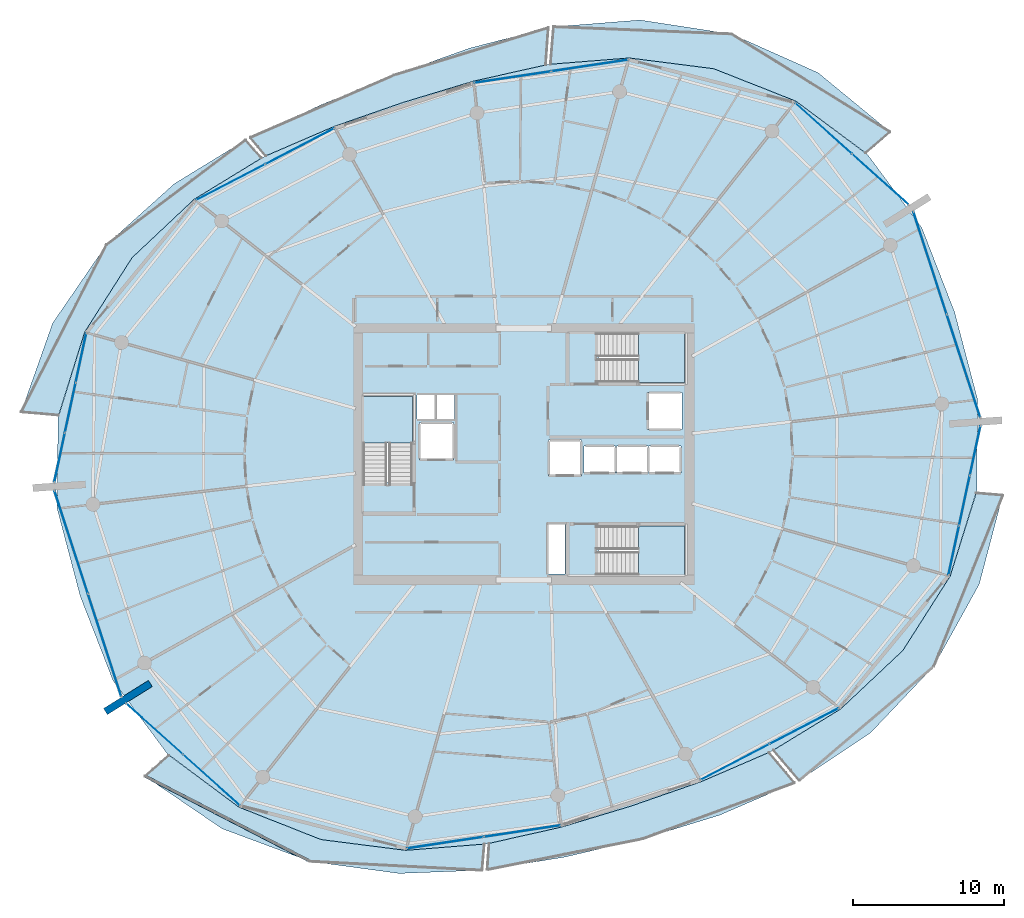
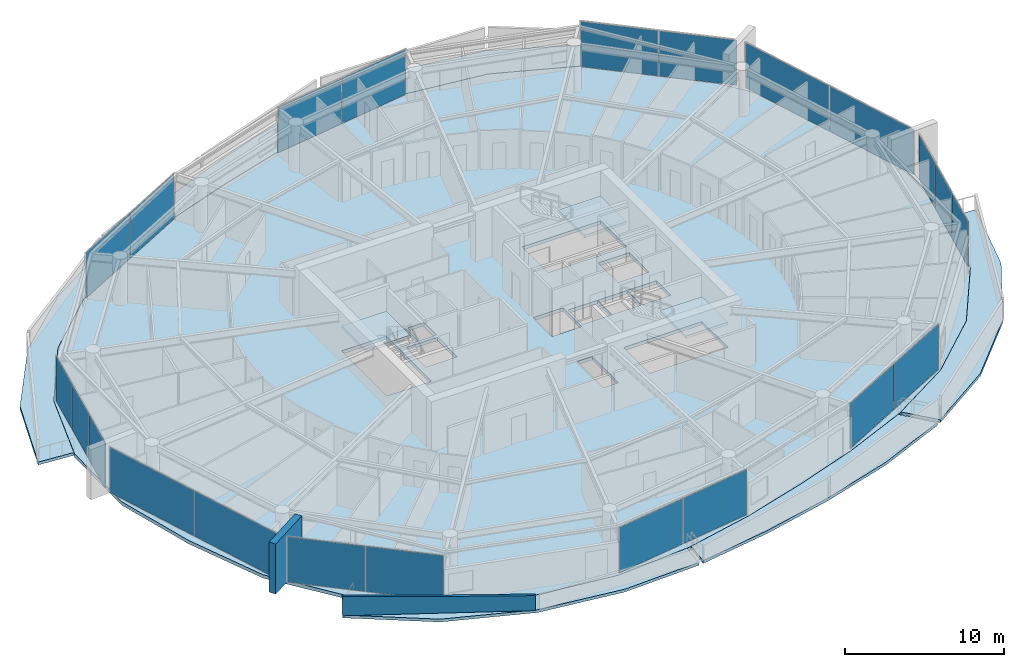
# One storey, part 16 of 30: 22 plates, 10 slabs, 2 walls, 13 elements without a shape of their own.
"""IFC4 building model written with IfcOpenShell, lengths in metres."""

from ifc_helpers import new_model, si_unit, direction, frame, frame_2d, origin, origin_2d, place, context, subcontext, project, spatial, polyline, rectangle, outline, extrude, material, layer, layer_set, type_object, element, aggregate, save


model = new_model("IFC4")

# Units and contexts
model_context = context("Model", 3, precision=1e-05, world=origin(), true_north=direction((0.0, 1.0)))
body_context = subcontext(model_context, "Body", "Model", "MODEL_VIEW")
ifc_project = project(units=[si_unit("LENGTHUNIT", "METRE"), si_unit("AREAUNIT", "SQUARE_METRE"), si_unit("VOLUMEUNIT", "CUBIC_METRE"), si_unit("PLANEANGLEUNIT", "RADIAN"), si_unit("MASSUNIT", "GRAM", prefix="KILO")], contexts=[model_context])

# Site, building, storey
site_placement = place(None, origin())
site = spatial("IfcSite", under=ifc_project, at=site_placement, CompositionType="ELEMENT")
building_placement = place(site_placement, origin())
building = spatial("IfcBuilding", under=site, at=building_placement, Name="Kazma Halo Residences", CompositionType="ELEMENT")
storey_placement = place(building_placement, frame((0.0, 0.0, 255.949951171875)))
storey = spatial("IfcBuildingStorey", under=building, at=storey_placement, Name="L64", CompositionType="ELEMENT", Elevation=255.949951171875)

# Curtain wall, plates
ifc_material_1 = material(Name="Aluminium AW-6063 T6 and Triple-Silver Low-E Glass", Category="aluminium")
ifc_layer_1 = layer(ifc_material_1, 0.139892578125)
ifc_layer_set_1 = layer_set([ifc_layer_1], Name="Aluminium AW-6063 T6 and Triple-Silver Low-E Glass")
curtain_wall_type = type_object("IfcCurtainWallType", Name="CW-SYS-5", PredefinedType="NOTDEFINED", material=ifc_layer_set_1)
curtain_wall_1_placement = place(storey_placement, origin())
curtain_wall_1 = element("IfcCurtainWall", 1, at=curtain_wall_1_placement, inside=storey, type_object=curtain_wall_type, Name="L64 unitised curtain wall B01", PredefinedType="NOTDEFINED")
ifc_material_2 = material(Name="Clear Triple-Silver Low-E Glass IGU", Category="glass")
ifc_layer_2 = layer(ifc_material_2, 0.02587890625)
ifc_layer_set_2 = layer_set([ifc_layer_2], Name="Clear Triple-Silver Low-E Glass IGU")
plate_type = type_object("IfcPlateType", Name="CW-SYS-5-PNL", PredefinedType="CURTAIN_PANEL", material=ifc_layer_set_2)
plate_1_placement = place(storey_placement, frame((72.002685546875, 60.179443359375, 0.06005859375), z_axis=(0.0, 0.0, 1.0), x_axis=(-0.744336424671, 0.667804826958, 0.0)))
plate_1 = element("IfcPlate", 2, at=plate_1_placement, type_object=plate_type, Name="CWS-5 panel 1.1", PredefinedType="CURTAIN_PANEL", context=body_context, shape_type="SweptSolid", body=[
    extrude(rectangle(XDim=4.993408203125, YDim=0.02587890625, at=origin_2d()), origin(), (0.0, 0.0, 1.0), 3.469970703125),
])
plate_2_placement = place(storey_placement, frame((68.2412109375, 63.55419921875, 0.06005859375), z_axis=(0.0, 0.0, 1.0), x_axis=(-0.744336424671, 0.667804826958, 0.0)))
plate_2 = element("IfcPlate", 3, at=plate_2_placement, type_object=plate_type, Name="CWS-5 panel 2.1", PredefinedType="CURTAIN_PANEL", context=body_context, shape_type="SweptSolid", body=[
    extrude(rectangle(XDim=4.993408203125, YDim=0.02587890625, at=origin_2d()), origin(), (0.0, 0.0, 1.0), 3.469970703125),
])
aggregate(curtain_wall_1, [plate_1, plate_2])

curtain_wall_2_placement = place(storey_placement, origin())
curtain_wall_2 = element("IfcCurtainWall", 4, at=curtain_wall_2_placement, inside=storey, type_object=curtain_wall_type, Name="L64 unitised curtain wall B03", PredefinedType="NOTDEFINED")
plate_3_placement = place(storey_placement, frame((52.77783203125, 67.70361328125, 0.06005859375), z_axis=(0.0, 0.0, 1.0), x_axis=(-0.988882792998, -0.148697080374, 0.0)))
plate_3 = element("IfcPlate", 5, at=plate_3_placement, type_object=plate_type, Name="CWS-5 panel 1.1", PredefinedType="CURTAIN_PANEL", context=body_context, shape_type="SweptSolid", body=[
    extrude(rectangle(XDim=5.099853515625, YDim=0.02587890625, at=origin_2d()), origin(), (0.0, 0.0, 1.0), 3.469970703125),
])
plate_4_placement = place(storey_placement, frame((47.67529296875, 66.936279296875, 0.06005859375), z_axis=(0.0, 0.0, 1.0), x_axis=(-0.988882792998, -0.148697080374, 0.0)))
plate_4 = element("IfcPlate", 6, at=plate_4_placement, type_object=plate_type, Name="CWS-5 panel 2.1", PredefinedType="CURTAIN_PANEL", context=body_context, shape_type="SweptSolid", body=[
    extrude(rectangle(XDim=5.099853515625, YDim=0.02587890625, at=origin_2d()), origin(), (0.0, 0.0, 1.0), 3.469970703125),
])
aggregate(curtain_wall_2, [plate_3, plate_4])

curtain_wall_3_placement = place(storey_placement, origin())
curtain_wall_3 = element("IfcCurtainWall", 7, at=curtain_wall_3_placement, inside=storey, type_object=curtain_wall_type, Name="L64 unitised curtain wall B05", PredefinedType="NOTDEFINED")
plate_5_placement = place(storey_placement, frame((33.60546875, 62.36474609375, 0.06005859375), z_axis=(0.0, 0.0, 1.0), x_axis=(-0.887420518694, -0.460960760804, 0.0)))
plate_5 = element("IfcPlate", 8, at=plate_5_placement, type_object=plate_type, Name="CWS-5 panel 1.1", PredefinedType="CURTAIN_PANEL", context=body_context, shape_type="SweptSolid", body=[
    extrude(rectangle(XDim=5.099609375, YDim=0.02587890625, at=origin_2d()), origin(), (0.0, 0.0, 1.0), 3.469970703125),
])
plate_6_placement = place(storey_placement, frame((29.026611328125, 59.986328125, 0.06005859375), z_axis=(0.0, 0.0, 1.0), x_axis=(-0.887420518694, -0.460960760804, 0.0)))
plate_6 = element("IfcPlate", 9, at=plate_6_placement, type_object=plate_type, Name="CWS-5 panel 2.1", PredefinedType="CURTAIN_PANEL", context=body_context, shape_type="SweptSolid", body=[
    extrude(rectangle(XDim=5.099609375, YDim=0.02587890625, at=origin_2d()), origin(), (0.0, 0.0, 1.0), 3.469970703125),
])
aggregate(curtain_wall_3, [plate_5, plate_6])

curtain_wall_4_placement = place(storey_placement, origin())
curtain_wall_4 = element("IfcCurtainWall", 10, at=curtain_wall_4_placement, inside=storey, type_object=curtain_wall_type, Name="L64 unitised curtain wall B07", PredefinedType="NOTDEFINED")
plate_7_placement = place(storey_placement, frame((19.133056640625, 48.36865234375, 0.06005859375), z_axis=(0.0, 0.0, 1.0), x_axis=(-0.209657382603, -0.97777491373, 0.0)))
plate_7 = element("IfcPlate", 11, at=plate_7_placement, type_object=plate_type, Name="CWS-5 panel 1.1", PredefinedType="CURTAIN_PANEL", context=body_context, shape_type="SweptSolid", body=[
    extrude(rectangle(XDim=3.299072265625, YDim=0.02587890625, at=origin_2d()), origin(), (0.0, 0.0, 1.0), 3.469970703125),
])
plate_8_placement = place(storey_placement, frame((18.42578125, 45.069580078125, 0.06005859375), z_axis=(0.0, 0.0, 1.0), x_axis=(-0.209657382603, -0.97777491373, 0.0)))
plate_8 = element("IfcPlate", 12, at=plate_8_placement, type_object=plate_type, Name="CWS-5 panel 2.1", PredefinedType="CURTAIN_PANEL", context=body_context, shape_type="SweptSolid", body=[
    extrude(rectangle(XDim=3.3291015625, YDim=0.02587890625, at=origin_2d()), origin(), (0.0, 0.0, 1.0), 3.469970703125),
])
plate_9_placement = place(storey_placement, frame((17.71826171875, 41.7705078125, 0.06005859375), z_axis=(0.0, 0.0, 1.0), x_axis=(-0.209657382603, -0.97777491373, 0.0)))
plate_9 = element("IfcPlate", 13, at=plate_9_placement, type_object=plate_type, Name="CWS-5 panel 3.1", PredefinedType="CURTAIN_PANEL", context=body_context, shape_type="SweptSolid", body=[
    extrude(rectangle(XDim=3.299072265625, YDim=0.02587890625, at=origin_2d()), origin(), (0.0, 0.0, 1.0), 3.469970703125),
])
aggregate(curtain_wall_4, [plate_7, plate_8, plate_9])

curtain_wall_5_placement = place(storey_placement, origin())
curtain_wall_5 = element("IfcCurtainWall", 14, at=curtain_wall_5_placement, inside=storey, type_object=curtain_wall_type, Name="L64 unitised curtain wall B08", PredefinedType="NOTDEFINED")
plate_10_placement = place(storey_placement, frame((18.48486328125, 36.1787109375, 0.06005859375), z_axis=(0.0, 0.0, 1.0), x_axis=(0.309010998786, -0.951058464359, 0.0)))
plate_10 = element("IfcPlate", 15, at=plate_10_placement, type_object=plate_type, Name="CWS-5 panel 1.1", PredefinedType="CURTAIN_PANEL", context=body_context, shape_type="SweptSolid", body=[
    extrude(rectangle(XDim=7.108642578125, YDim=0.02587890625, at=origin_2d()), origin(), (0.0, 0.0, 1.0), 3.469970703125),
])
plate_11_placement = place(storey_placement, frame((20.699951171875, 29.36083984375, 0.06005859375), z_axis=(0.0, 0.0, 1.0), x_axis=(0.309010998786, -0.951058464359, 0.0)))
plate_11 = element("IfcPlate", 16, at=plate_11_placement, type_object=plate_type, Name="CWS-5 panel 2.1", PredefinedType="CURTAIN_PANEL", context=body_context, shape_type="SweptSolid", body=[
    extrude(rectangle(XDim=7.108642578125, YDim=0.02587890625, at=origin_2d()), origin(), (0.0, 0.0, 1.0), 3.469970703125),
])
aggregate(curtain_wall_5, [plate_10, plate_11])

curtain_wall_6_placement = place(storey_placement, origin())
curtain_wall_6 = element("IfcCurtainWall", 17, at=curtain_wall_6_placement, inside=storey, type_object=curtain_wall_type, Name="L64 unitised curtain wall B09", PredefinedType="NOTDEFINED")
plate_12_placement = place(storey_placement, frame((23.997314453125, 23.820556640625, 0.06005859375), z_axis=(0.0, 0.0, 1.0), x_axis=(0.744336424671, -0.667804826958, 0.0)))
plate_12 = element("IfcPlate", 18, at=plate_12_placement, type_object=plate_type, Name="CWS-5 panel 1.1", PredefinedType="CURTAIN_PANEL", context=body_context, shape_type="SweptSolid", body=[
    extrude(rectangle(XDim=4.993408203125, YDim=0.02587890625, at=origin_2d()), origin(), (0.0, 0.0, 1.0), 3.469970703125),
])
plate_13_placement = place(storey_placement, frame((27.7587890625, 20.44580078125, 0.06005859375), z_axis=(0.0, 0.0, 1.0), x_axis=(0.744336424671, -0.667804826958, 0.0)))
plate_13 = element("IfcPlate", 19, at=plate_13_placement, type_object=plate_type, Name="CWS-5 panel 2.1", PredefinedType="CURTAIN_PANEL", context=body_context, shape_type="SweptSolid", body=[
    extrude(rectangle(XDim=4.993408203125, YDim=0.02587890625, at=origin_2d()), origin(), (0.0, 0.0, 1.0), 3.469970703125),
])
aggregate(curtain_wall_6, [plate_12, plate_13])

curtain_wall_7_placement = place(storey_placement, origin())
curtain_wall_7 = element("IfcCurtainWall", 20, at=curtain_wall_7_placement, inside=storey, type_object=curtain_wall_type, Name="L64 unitised curtain wall B11", PredefinedType="NOTDEFINED")
plate_14_placement = place(storey_placement, frame((43.22216796875, 16.29638671875, 0.06005859375), z_axis=(0.0, 0.0, 1.0), x_axis=(0.988882792998, 0.148697080374, 0.0)))
plate_14 = element("IfcPlate", 21, at=plate_14_placement, type_object=plate_type, Name="CWS-5 panel 1.1", PredefinedType="CURTAIN_PANEL", context=body_context, shape_type="SweptSolid", body=[
    extrude(rectangle(XDim=5.099853515625, YDim=0.02587890625, at=origin_2d()), origin(), (0.0, 0.0, 1.0), 3.469970703125),
])
plate_15_placement = place(storey_placement, frame((48.32470703125, 17.063720703125, 0.06005859375), z_axis=(0.0, 0.0, 1.0), x_axis=(0.988882792998, 0.148697080374, 0.0)))
plate_15 = element("IfcPlate", 22, at=plate_15_placement, type_object=plate_type, Name="CWS-5 panel 2.1", PredefinedType="CURTAIN_PANEL", context=body_context, shape_type="SweptSolid", body=[
    extrude(rectangle(XDim=5.099853515625, YDim=0.02587890625, at=origin_2d()), origin(), (0.0, 0.0, 1.0), 3.469970703125),
])
aggregate(curtain_wall_7, [plate_14, plate_15])

curtain_wall_8_placement = place(storey_placement, origin())
curtain_wall_8 = element("IfcCurtainWall", 23, at=curtain_wall_8_placement, inside=storey, type_object=curtain_wall_type, Name="L64 unitised curtain wall B13", PredefinedType="NOTDEFINED")
plate_16_placement = place(storey_placement, frame((62.39453125, 21.63525390625, 0.06005859375), z_axis=(0.0, 0.0, 1.0), x_axis=(0.887420518694, 0.460960760804, 0.0)))
plate_16 = element("IfcPlate", 24, at=plate_16_placement, type_object=plate_type, Name="CWS-5 panel 1.1", PredefinedType="CURTAIN_PANEL", context=body_context, shape_type="SweptSolid", body=[
    extrude(rectangle(XDim=5.099609375, YDim=0.02587890625, at=origin_2d()), origin(), (0.0, 0.0, 1.0), 3.469970703125),
])
plate_17_placement = place(storey_placement, frame((66.973388671875, 24.013671875, 0.06005859375), z_axis=(0.0, 0.0, 1.0), x_axis=(0.887420518694, 0.460960760804, 0.0)))
plate_17 = element("IfcPlate", 25, at=plate_17_placement, type_object=plate_type, Name="CWS-5 panel 2.1", PredefinedType="CURTAIN_PANEL", context=body_context, shape_type="SweptSolid", body=[
    extrude(rectangle(XDim=5.099609375, YDim=0.02587890625, at=origin_2d()), origin(), (0.0, 0.0, 1.0), 3.469970703125),
])
aggregate(curtain_wall_8, [plate_16, plate_17])

curtain_wall_9_placement = place(storey_placement, origin())
curtain_wall_9 = element("IfcCurtainWall", 26, at=curtain_wall_9_placement, inside=storey, type_object=curtain_wall_type, Name="L64 unitised curtain wall B15", PredefinedType="NOTDEFINED")
plate_18_placement = place(storey_placement, frame((76.866943359375, 35.63134765625, 0.06005859375), z_axis=(0.0, 0.0, 1.0), x_axis=(0.209657382603, 0.97777491373, 0.0)))
plate_18 = element("IfcPlate", 27, at=plate_18_placement, type_object=plate_type, Name="CWS-5 panel 1.1", PredefinedType="CURTAIN_PANEL", context=body_context, shape_type="SweptSolid", body=[
    extrude(rectangle(XDim=3.299072265625, YDim=0.02587890625, at=origin_2d()), origin(), (0.0, 0.0, 1.0), 3.469970703125),
])
plate_19_placement = place(storey_placement, frame((77.57421875, 38.930419921875, 0.06005859375), z_axis=(0.0, 0.0, 1.0), x_axis=(0.209657382603, 0.97777491373, 0.0)))
plate_19 = element("IfcPlate", 28, at=plate_19_placement, type_object=plate_type, Name="CWS-5 panel 2.1", PredefinedType="CURTAIN_PANEL", context=body_context, shape_type="SweptSolid", body=[
    extrude(rectangle(XDim=3.3291015625, YDim=0.02587890625, at=origin_2d()), origin(), (0.0, 0.0, 1.0), 3.469970703125),
])
plate_20_placement = place(storey_placement, frame((78.28173828125, 42.2294921875, 0.06005859375), z_axis=(0.0, 0.0, 1.0), x_axis=(0.209657382603, 0.97777491373, 0.0)))
plate_20 = element("IfcPlate", 29, at=plate_20_placement, type_object=plate_type, Name="CWS-5 panel 3.1", PredefinedType="CURTAIN_PANEL", context=body_context, shape_type="SweptSolid", body=[
    extrude(rectangle(XDim=3.299072265625, YDim=0.02587890625, at=origin_2d()), origin(), (0.0, 0.0, 1.0), 3.469970703125),
])
aggregate(curtain_wall_9, [plate_18, plate_19, plate_20])

curtain_wall_10_placement = place(storey_placement, origin())
curtain_wall_10 = element("IfcCurtainWall", 30, at=curtain_wall_10_placement, inside=storey, type_object=curtain_wall_type, Name="L64 unitised curtain wall B16", PredefinedType="NOTDEFINED")
plate_21_placement = place(storey_placement, frame((77.51513671875, 47.8212890625, 0.06005859375), z_axis=(0.0, 0.0, 1.0), x_axis=(-0.309010998786, 0.951058464359, 0.0)))
plate_21 = element("IfcPlate", 31, at=plate_21_placement, type_object=plate_type, Name="CWS-5 panel 1.1", PredefinedType="CURTAIN_PANEL", context=body_context, shape_type="SweptSolid", body=[
    extrude(rectangle(XDim=7.108642578125, YDim=0.02587890625, at=origin_2d()), origin(), (0.0, 0.0, 1.0), 3.469970703125),
])
plate_22_placement = place(storey_placement, frame((75.300048828125, 54.63916015625, 0.06005859375), z_axis=(0.0, 0.0, 1.0), x_axis=(-0.309010998786, 0.951058464359, 0.0)))
plate_22 = element("IfcPlate", 32, at=plate_22_placement, type_object=plate_type, Name="CWS-5 panel 2.1", PredefinedType="CURTAIN_PANEL", context=body_context, shape_type="SweptSolid", body=[
    extrude(rectangle(XDim=7.108642578125, YDim=0.02587890625, at=origin_2d()), origin(), (0.0, 0.0, 1.0), 3.469970703125),
])
aggregate(curtain_wall_10, [plate_21, plate_22])

# Slabs
ifc_material_3 = material(Name="White Concrete C50/60", Category="concrete")
ifc_layer_3 = layer(ifc_material_3, 0.219970703125)
ifc_layer_set_3 = layer_set([ifc_layer_3], Name="White Concrete C50/60")
slab_type_1 = type_object("IfcSlabType", Name="SLB-BAL-WAVE-210", PredefinedType="FLOOR", material=ifc_layer_set_3)
slab_1_placement = place(storey_placement, frame((0.0, 0.0, -0.219970703125)))
element("IfcSlab", 33, at=slab_1_placement, inside=storey, type_object=slab_type_1, Name="L64 NE cantilevered wave balcony slab", PredefinedType="FLOOR", context=body_context, shape_type="SweptSolid", body=[
    extrude(outline(polyline([(71.0400390625, 61.9228515625), (66.41357421875, 65.357421875), (60.990478515625, 67.49560546875), (55.3916015625, 68.208984375), (50.188720703125, 67.794189453125), (50.398681640625, 70.27001953125), (56.099609375, 70.71923828125), (62.1611328125, 69.79296875), (67.89111328125, 67.23193359375), (72.651611328125, 63.31640625), (71.0400390625, 61.9228515625)])), origin(), (0.0, 0.0, 1.0), 0.219970703125),
])
slab_2_placement = place(storey_placement, frame((0.0, 0.0, -0.219970703125)))
element("IfcSlab", 34, at=slab_2_placement, inside=storey, type_object=slab_type_1, Name="L64 NNW cantilevered wave balcony slab", PredefinedType="FLOOR", context=body_context, shape_type="SweptSolid", body=[
    extrude(outline(polyline([(49.8681640625, 67.74609375), (45.080078125, 66.66943359375), (40.43994140625, 65.267333984375), (35.86181640625, 63.67431640625), (31.35546875, 61.731201171875), (30.333251953125, 62.94287109375), (35.048095703125, 65.12744140625), (39.853271484375, 67.073486328125), (44.82177734375, 68.853759765625), (50.046630859375, 70.205810546875), (49.8681640625, 67.74609375)])), origin(), (0.0, 0.0, 1.0), 0.219970703125),
])
slab_3_placement = place(storey_placement, frame((0.0, 0.0, -0.219970703125)))
element("IfcSlab", 35, at=slab_3_placement, inside=storey, type_object=slab_type_1, Name="L64 NW cantilevered wave balcony slab", PredefinedType="FLOOR", context=body_context, shape_type="SweptSolid", body=[
    extrude(outline(polyline([(31.06787109375, 61.58154296875), (26.614501953125, 58.85888671875), (22.50439453125, 54.990478515625), (19.3740234375, 50.0732421875), (17.64990234375, 44.5751953125), (15.177001953125, 44.78515625), (17.257080078125, 50.67041015625), (20.8125, 55.852783203125), (25.306640625, 59.889892578125), (30.027587890625, 62.784423828125), (31.06787109375, 61.58154296875)])), origin(), (0.0, 0.0, 1.0), 0.219970703125),
])
slab_4_placement = place(storey_placement, frame((0.0, 0.0, -0.219970703125)))
element("IfcSlab", 36, at=slab_4_placement, inside=storey, type_object=slab_type_1, Name="L64 SW cantilevered wave balcony slab", PredefinedType="FLOOR", context=body_context, shape_type="SweptSolid", body=[
    extrude(outline(polyline([(24.9599609375, 22.0771484375), (29.58642578125, 18.642578125), (35.009521484375, 16.50439453125), (40.6083984375, 15.791015625), (45.811279296875, 16.205810546875), (45.66455078125, 14.476318359375), (40.17724609375, 14.2626953125), (34.27490234375, 15.063232421875), (28.466552734375, 17.221923828125), (23.36279296875, 20.6962890625), (24.9599609375, 22.0771484375)])), origin(), (0.0, 0.0, 1.0), 0.219970703125),
])
slab_5_placement = place(storey_placement, frame((0.0, 0.0, -0.219970703125)))
element("IfcSlab", 37, at=slab_5_placement, inside=storey, type_object=slab_type_1, Name="L64 SSE cantilevered wave balcony slab", PredefinedType="FLOOR", context=body_context, shape_type="SweptSolid", body=[
    extrude(outline(polyline([(46.1318359375, 16.25390625), (50.919921875, 17.33056640625), (55.56005859375, 18.732666015625), (60.13818359375, 20.32568359375), (64.64453125, 22.268798828125), (66.33740234375, 20.26220703125), (61.37451171875, 18.117919921875), (56.269775390625, 16.548095703125), (51.154541015625, 15.347900390625), (46.005615234375, 14.513916015625), (46.1318359375, 16.25390625)])), origin(), (0.0, 0.0, 1.0), 0.219970703125),
])
slab_6_placement = place(storey_placement, frame((0.0, 0.0, -0.219970703125)))
element("IfcSlab", 38, at=slab_6_placement, inside=storey, type_object=slab_type_1, Name="L64 SE cantilevered wave balcony slab", PredefinedType="FLOOR", context=body_context, shape_type="SweptSolid", body=[
    extrude(outline(polyline([(64.93212890625, 22.41845703125), (69.385498046875, 25.14111328125), (73.49560546875, 29.009521484375), (76.6259765625, 33.9267578125), (78.35009765625, 39.4248046875), (80.10400390625, 39.27587890625), (78.547607421875, 33.384765625), (75.5419921875, 27.966552734375), (71.37255859375, 23.57470703125), (66.65234375, 20.428955078125), (64.93212890625, 22.41845703125)])), origin(), (0.0, 0.0, 1.0), 0.219970703125),
])
ifc_material_4 = material(Name="Concrete C50/60", Category="concrete")
ifc_layer_4 = layer(ifc_material_4, 0.260009765625)
ifc_layer_set_4 = layer_set([ifc_layer_4], Name="Concrete C50/60")
slab_type_2 = type_object("IfcSlabType", Name="SLB-RES-260", PredefinedType="FLOOR", material=ifc_layer_set_4)
slab_7_placement = place(storey_placement, frame((0.0, 0.0, -0.260009765625)))
element("IfcSlab", 39, at=slab_7_placement, inside=storey, type_object=slab_type_2, Name="L64 structural floor slab", PredefinedType="FLOOR", context=body_context, shape_type="SweptSolid", body=[
    extrude(outline(polyline([(76.9189453125, 51.396240234375), (74.749755859375, 56.980712890625), (71.180419921875, 61.7978515625), (66.412109375, 65.355712890625), (60.98974609375, 67.49365234375), (55.39111328125, 68.207275390625), (50.02880859375, 67.7783203125), (45.080322265625, 66.66748046875), (40.440673828125, 65.265380859375), (35.86279296875, 63.672607421875), (31.20654296875, 61.66259765625), (26.6162109375, 58.857666015625), (22.50634765625, 54.98974609375), (19.3759765625, 50.07275390625), (17.60986328125, 44.391845703125), (17.5537109375, 38.396484375), (19.0810546875, 32.603759765625), (21.250244140625, 27.019287109375), (24.819580078125, 22.2021484375), (29.587890625, 18.644287109375), (35.01025390625, 16.50634765625), (40.60888671875, 15.792724609375), (45.97119140625, 16.2216796875), (50.919677734375, 17.33251953125), (55.559326171875, 18.734619140625), (60.13720703125, 20.327392578125), (64.79345703125, 22.33740234375), (69.3837890625, 25.142333984375), (73.49365234375, 29.01025390625), (76.6240234375, 33.92724609375), (78.39013671875, 39.608154296875), (78.4462890625, 45.603515625), (76.9189453125, 51.396240234375)]), holes=[polyline([(37.800048828125, 40.110107421875), (41.050048828125, 40.110107421875), (41.050048828125, 45.800048828125), (37.800048828125, 45.800048828125), (37.800048828125, 40.110107421875)]), polyline([(53.360107421875, 46.75), (59.050048828125, 46.75), (59.050048828125, 50.0), (53.360107421875, 50.0), (53.360107421875, 46.75)]), polyline([(53.360107421875, 34.0), (59.050048828125, 34.0), (59.050048828125, 37.25), (53.360107421875, 37.25), (53.360107421875, 34.0)]), polyline([(41.52001953125, 41.6201171875), (43.780029296875, 41.6201171875), (43.780029296875, 44.080078125), (41.52001953125, 44.080078125), (41.52001953125, 41.6201171875)]), polyline([(56.6201171875, 43.6201171875), (58.8798828125, 43.6201171875), (58.8798828125, 46.080078125), (56.6201171875, 46.080078125), (56.6201171875, 43.6201171875)]), polyline([(52.39501953125, 40.7451171875), (54.5048828125, 40.7451171875), (54.5048828125, 42.554931640625), (52.39501953125, 42.554931640625), (52.39501953125, 40.7451171875)]), polyline([(54.544921875, 40.7451171875), (56.655029296875, 40.7451171875), (56.655029296875, 42.554931640625), (54.544921875, 42.554931640625), (54.544921875, 40.7451171875)]), polyline([(56.695068359375, 40.7451171875), (58.804931640625, 40.7451171875), (58.804931640625, 42.554931640625), (56.695068359375, 42.554931640625), (56.695068359375, 40.7451171875)]), polyline([(50.070068359375, 40.570068359375), (52.22998046875, 40.570068359375), (52.22998046875, 42.929931640625), (50.070068359375, 42.929931640625), (50.070068359375, 40.570068359375)]), polyline([(41.360107421875, 44.340087890625), (42.5400390625, 44.340087890625), (42.5400390625, 45.89990234375), (41.360107421875, 45.89990234375), (41.360107421875, 44.340087890625)]), polyline([(42.659912109375, 44.340087890625), (43.840087890625, 44.340087890625), (43.840087890625, 45.89990234375), (42.659912109375, 45.89990234375), (42.659912109375, 44.340087890625)]), polyline([(50.06005859375, 34.080078125), (51.159912109375, 34.080078125), (51.159912109375, 37.3798828125), (50.06005859375, 37.3798828125), (50.06005859375, 34.080078125)])]), origin(), (0.0, 0.0, 1.0), 0.260009765625),
])

# Stair, slab
stair_type = type_object("IfcStairType", Name="STR-RES2", PredefinedType="HALF_TURN_STAIR", material=ifc_material_4)
stair_1_placement = place(storey_placement, origin())
stair_1 = element("IfcStair", 40, at=stair_1_placement, inside=storey, type_object=stair_type, Name="L64 Core exit stair ST-01", PredefinedType="HALF_TURN_STAIR")
ifc_layer_5 = layer(ifc_material_4, 0.199951171875)
ifc_layer_set_5 = layer_set([ifc_layer_5], Name="Concrete C50/60")
slab_type_3 = type_object("IfcSlabType", Name="SLB-STAIR-LND-200", PredefinedType="LANDING", material=ifc_layer_set_5)
slab_8_placement = place(storey_placement, frame((0.0, 0.0, 1.72509765625)))
slab_8 = element("IfcSlab", 41, at=slab_8_placement, type_object=slab_type_3, Name="ST-01 landing 1", PredefinedType="LANDING", context=body_context, shape_type="SweptSolid", body=[
    extrude(outline(polyline([(41.050048828125, 42.75), (41.050048828125, 45.800048828125), (37.800048828125, 45.800048828125), (37.800048828125, 42.75), (41.050048828125, 42.75)])), origin(), (0.0, 0.0, 1.0), 0.199951171875),
])
aggregate(stair_1, [slab_8])

stair_2_placement = place(storey_placement, origin())
stair_2 = element("IfcStair", 42, at=stair_2_placement, inside=storey, type_object=stair_type, Name="L64 Core exit stair ST-02", PredefinedType="HALF_TURN_STAIR")
slab_9_placement = place(storey_placement, frame((0.0, 0.0, 1.72509765625)))
slab_9 = element("IfcSlab", 43, at=slab_9_placement, type_object=slab_type_3, Name="ST-02 landing 1", PredefinedType="LANDING", context=body_context, shape_type="SweptSolid", body=[
    extrude(outline(polyline([(56.0, 46.75), (59.050048828125, 46.75), (59.050048828125, 50.0), (56.0, 50.0), (56.0, 46.75)])), origin(), (0.0, 0.0, 1.0), 0.199951171875),
])
aggregate(stair_2, [slab_9])

stair_3_placement = place(storey_placement, origin())
stair_3 = element("IfcStair", 44, at=stair_3_placement, inside=storey, type_object=stair_type, Name="L64 Core exit stair ST-03", PredefinedType="HALF_TURN_STAIR")
slab_10_placement = place(storey_placement, frame((0.0, 0.0, 1.72509765625)))
slab_10 = element("IfcSlab", 45, at=slab_10_placement, type_object=slab_type_3, Name="ST-03 landing 1", PredefinedType="LANDING", context=body_context, shape_type="SweptSolid", body=[
    extrude(outline(polyline([(56.0, 34.0), (59.050048828125, 34.0), (59.050048828125, 37.25), (56.0, 37.25), (56.0, 34.0)])), origin(), (0.0, 0.0, 1.0), 0.199951171875),
])
aggregate(stair_3, [slab_10])

# Walls
ifc_material_5 = material(Name="White Concrete C50/60 Balustrade", Category="concrete")
ifc_layer_6 = layer(ifc_material_5, 0.179931640625)
ifc_layer_set_6 = layer_set([ifc_layer_6], Name="White Concrete C50/60 Balustrade")
wall_type_1 = type_object("IfcWallType", Name="WL-BAL-WAVE-180", PredefinedType="PARAPET", material=ifc_layer_set_6)
wall_1_placement = place(storey_placement, frame((23.36279296875, 20.6962890625, 0.0), z_axis=(0.0, 0.0, 1.0), x_axis=(0.888586869338, -0.458708377556, 0.0)))
element("IfcWall", 46, at=wall_1_placement, inside=storey, type_object=wall_type_1, Name="L64 white wave balustrade wall SW.1", PredefinedType="PARAPET", context=body_context, shape_type="SweptSolid", body=[
    extrude(outline(polyline([(0.0, 0.0), (12.160400390625, 0.0), (12.160400390625, 1.14794921875), (6.080078125, 1.283935546875), (0.0, 1.483154296875), (0.0, 0.0)])), frame((0.0, 0.08984375, 0.0), z_axis=(0.0, -1.0, 0.0), x_axis=(1.0, 0.0, 0.0)), (0.0, 0.0, 1.0), 0.179931640625),
])
ifc_material_6 = material(Name="Pale Concrete C60/75", Category="concrete")
ifc_layer_7 = layer(ifc_material_6, 0.47998046875)
ifc_layer_set_7 = layer_set([ifc_layer_7], Name="Pale Concrete C60/75")
wall_type_2 = type_object("IfcWallType", Name="WL-BLADE-480", PredefinedType="SOLIDWALL", material=ifc_layer_set_7)
wall_2_placement = place(storey_placement, frame((23.718505859375, 26.827392578125, 0.0), z_axis=(0.0, 0.0, 1.0), x_axis=(-0.848033572426, -0.529942506352, 0.0)))
element("IfcWall", 47, at=wall_2_placement, inside=storey, type_object=wall_type_2, Name="L64 pale concrete structural blade fin wall BW-03", PredefinedType="SOLIDWALL", context=body_context, shape_type="SweptSolid", body=[
    extrude(rectangle(XDim=3.5, YDim=0.47998046875, at=frame_2d((1.75, 0.0))), origin(), (0.0, 0.0, 1.0), 3.85009765625),
])

save(model, "model.ifc")
